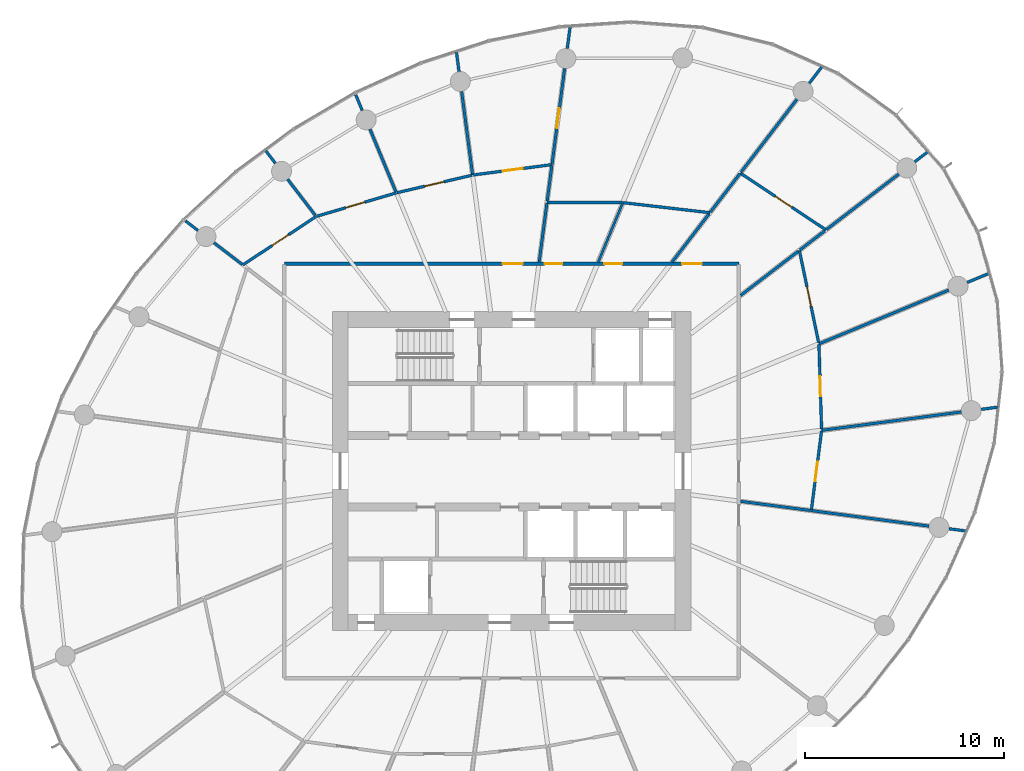
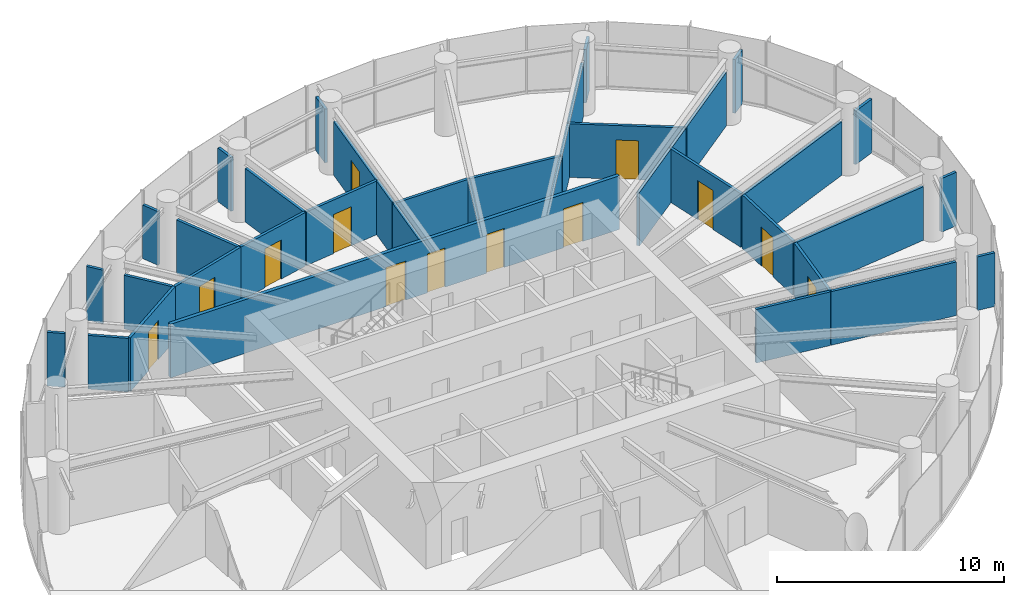
# One storey, part 11 of 15: 39 walls, 13 doors, 13 openings.
"""IFC4 building model written with IfcOpenShell, lengths in metres."""

import ifcopenshell
import ifcopenshell.guid

model = None  # the IFC model being written
_history = None  # IfcOwnerHistory: only IFC2X3 demands one
_inside = {}  # id of a spatial element -> (the spatial element, [elements in it])
_under = {}  # id of a project, library or spatial element -> (it, [spatial elements below it])
_declared = {}  # id of a project -> (the project, [libraries it declares])
_typed = {}  # id of a type object -> (the type object, [elements of that type])
_made_of = {}  # id of a material, layer set ... -> (it, [elements and type objects made of it])


def new_model(schema):
    """Start an empty IFC model of exactly this schema.

    Asked for "IFC4X3", IfcOpenShell would pick the latest addendum, in which some entities
    have other attributes; the version numbers below select the first issue.
    IFC2X3 requires an IfcOwnerHistory on every rooted entity: one is made here for all.
    """
    global model, _history
    if schema == "IFC4X3":
        model = ifcopenshell.file(schema_version=(4, 3, 0, 0))
    else:
        model = ifcopenshell.file(schema=schema)
    _inside.clear()
    _under.clear()
    _declared.clear()
    _typed.clear()
    _made_of.clear()
    _history = None
    if model.schema == "IFC2X3":
        org = make("IfcOrganization", Name="unknown")
        user = make(
            "IfcPersonAndOrganization",
            ThePerson=make("IfcPerson", FamilyName="unknown"),
            TheOrganization=org,
        )
        app = make(
            "IfcApplication",
            ApplicationDeveloper=org,
            Version="unknown",
            ApplicationFullName="unknown",
            ApplicationIdentifier="unknown",
        )
        _history = make(
            "IfcOwnerHistory",
            OwningUser=user,
            OwningApplication=app,
            ChangeAction="ADDED",
            CreationDate=0,
        )
    return model


def make(cls, **values):
    """One entity of the class cls with the attributes given. An attribute that is None is left unset."""
    return model.create_entity(
        cls, **{name: value for name, value in values.items() if value is not None}
    )


def rooted(cls, **values):
    """An entity with a GlobalId (a new one), such as an element, a storey or a relation."""
    return make(cls, GlobalId=ifcopenshell.guid.new(), OwnerHistory=_history, **values)


def si_unit(unit_type, name, prefix=None):
    """IfcSIUnit, for example si_unit("LENGTHUNIT", "METRE", prefix="MILLI")."""
    return make("IfcSIUnit", UnitType=unit_type, Prefix=prefix, Name=name)


def assignment(units):
    """IfcUnitAssignment: the units of a project."""
    return None if units is None else make("IfcUnitAssignment", Units=units)


def point(xyz):
    """IfcCartesianPoint."""
    return None if xyz is None else make("IfcCartesianPoint", Coordinates=xyz)


def direction(xyz):
    """IfcDirection."""
    return None if xyz is None else make("IfcDirection", DirectionRatios=xyz)


def frame(location, z_axis=None, x_axis=None):
    """IfcAxis2Placement3D, a coordinate frame: its origin and axes. An axis left out is left unset."""
    return make(
        "IfcAxis2Placement3D",
        Location=point(location),
        Axis=direction(z_axis),
        RefDirection=direction(x_axis),
    )


def frame_2d(location, x_axis=None):
    """IfcAxis2Placement2D, a coordinate frame in the plane: its origin and x axis."""
    return make(
        "IfcAxis2Placement2D", Location=point(location), RefDirection=direction(x_axis)
    )


def origin():
    """The frame at (0, 0, 0) with its axes left unset."""
    return frame((0.0, 0.0, 0.0))


def place(relative_to, where):
    """IfcLocalPlacement: puts the frame where relative to a parent placement (None: the world)."""
    return make(
        "IfcLocalPlacement", PlacementRelTo=relative_to, RelativePlacement=where
    )


def context(
    kind, dimensions, precision=None, world=None, true_north=None, identifier=None
):
    """IfcGeometricRepresentationContext, for example the 3D "Model" context."""
    return make(
        "IfcGeometricRepresentationContext",
        ContextIdentifier=identifier,
        ContextType=kind,
        CoordinateSpaceDimension=dimensions,
        Precision=precision,
        WorldCoordinateSystem=world,
        TrueNorth=true_north,
    )


def subcontext(parent, identifier, kind, view, scale=None):
    """IfcGeometricRepresentationSubContext, for example "Body" below "Model"."""
    return make(
        "IfcGeometricRepresentationSubContext",
        ContextIdentifier=identifier,
        ContextType=kind,
        ParentContext=parent,
        TargetScale=scale,
        TargetView=view,
    )


def project(units=None, contexts=None):
    """IfcProject with its units and contexts."""
    return rooted(
        "IfcProject",
        Name="project",
        RepresentationContexts=contexts,
        UnitsInContext=assignment(units),
    )


def spatial(cls, under=None, at=None, **own):
    """A site, building, storey or space (cls), placed at a placement, below another one or the project."""
    s = rooted(cls, ObjectPlacement=at, **own)
    if under is not None:
        _under.setdefault(under.id(), (under, []))[1].append(s)
    return s


def profile(cls, at=None, kind="AREA", **sizes):
    """A parametric profile (cls). Its sizes go by their IFC names, for example OverallWidth=200.0."""
    return make(cls, ProfileType=kind, Position=at, **sizes)


def rectangle(**sizes):
    """IfcRectangleProfileDef."""
    return profile("IfcRectangleProfileDef", **sizes)


def extrude(swept, where, along, depth):
    """IfcExtrudedAreaSolid: the profile swept, set in the frame where, extruded along a direction by depth."""
    return make(
        "IfcExtrudedAreaSolid",
        SweptArea=swept,
        Position=where,
        ExtrudedDirection=direction(along),
        Depth=depth,
    )


def shape(context_of_items, identifier, shape_type, items):
    """IfcShapeRepresentation: the items that make up one representation, for example the "Body"."""
    return make(
        "IfcShapeRepresentation",
        ContextOfItems=context_of_items,
        RepresentationIdentifier=identifier,
        RepresentationType=shape_type,
        Items=items,
    )


def source(mapping_origin, context_of_items, identifier, shape_type, items):
    """IfcRepresentationMap: a shape defined once, which mapped items show again and again."""
    return make(
        "IfcRepresentationMap",
        MappingOrigin=mapping_origin,
        MappedRepresentation=shape(context_of_items, identifier, shape_type, items),
    )


def transform(
    local_origin,
    x_axis=None,
    y_axis=None,
    z_axis=None,
    scale=None,
    scale2=None,
    scale3=None,
    uniform=True,
):
    """IfcCartesianTransformationOperator3D, or its non-uniform kind. x_axis, y_axis, z_axis: its Axis1, 2, 3."""
    if uniform:
        return make(
            "IfcCartesianTransformationOperator3D",
            Axis1=direction(x_axis),
            Axis2=direction(y_axis),
            LocalOrigin=point(local_origin),
            Scale=scale,
            Axis3=direction(z_axis),
        )
    return make(
        "IfcCartesianTransformationOperator3DnonUniform",
        Axis1=direction(x_axis),
        Axis2=direction(y_axis),
        LocalOrigin=point(local_origin),
        Scale=scale,
        Axis3=direction(z_axis),
        Scale2=scale2,
        Scale3=scale3,
    )


def mapped(mapping_source, mapping_target):
    """IfcMappedItem: shows the shape of a source again, moved by a transform."""
    return make(
        "IfcMappedItem", MappingSource=mapping_source, MappingTarget=mapping_target
    )


def material(Name=None, Category=None):
    """IfcMaterial."""
    return make("IfcMaterial", Name=Name, Category=Category)


def layer(
    of_material, thickness, ventilated=None, Name=None, Category=None, Priority=None
):
    """IfcMaterialLayer: one layer of a wall or slab, of a material (None: an air gap)."""
    return make(
        "IfcMaterialLayer",
        Material=of_material,
        LayerThickness=thickness,
        IsVentilated=ventilated,
        Name=Name,
        Category=Category,
        Priority=Priority,
    )


def layer_set(layers, Name=None):
    """IfcMaterialLayerSet."""
    return make("IfcMaterialLayerSet", MaterialLayers=layers, LayerSetName=Name)


def made_of(thing, what):
    """Note that an element or type object is made of a material, layer set ...; save() writes the relation."""
    if what is not None:
        _made_of.setdefault(what.id(), (what, []))[1].append(thing)
    return thing


def type_object(cls, material=None, **own):
    """A type object (cls), such as IfcWallType, which elements share."""
    return made_of(rooted(cls, **own), material)


def element(
    cls,
    number,
    at=None,
    inside=None,
    cuts=None,
    type_object=None,
    material=None,
    context=None,
    identifier="Body",
    shape_type=None,
    held_by="IfcProductDefinitionShape",
    body=None,
    shapes=None,
    **own,
):
    """One element of the class cls, such as IfcWall. Its Tag is "e" and its number.

    at: its placement. inside: the storey or other place that contains it. cuts: it is an
    opening in that element (IfcRelVoidsElement). A single representation is given by context,
    identifier, shape_type and body (its items); several are given by shapes. held_by: the class
    of the entity that holds the representations. save() writes the other relations.
    """
    e = rooted(cls, Tag="e%d" % number, ObjectPlacement=at, **own)
    if body is not None:
        shapes = [shape(context, identifier, shape_type, body)]
    if shapes is not None:
        e.Representation = make(held_by, Representations=shapes)
    if inside is not None:
        _inside.setdefault(inside.id(), (inside, []))[1].append(e)
    if cuts is not None:
        rooted(
            "IfcRelVoidsElement", RelatingBuildingElement=cuts, RelatedOpeningElement=e
        )
    if type_object is not None:
        _typed.setdefault(type_object.id(), (type_object, []))[1].append(e)
    return made_of(e, material)


def fill(opening, filler):
    """IfcRelFillsElement: the door or window that sits in an opening."""
    return rooted(
        "IfcRelFillsElement",
        RelatingOpeningElement=opening,
        RelatedBuildingElement=filler,
    )


def aggregate(whole, parts):
    """IfcRelAggregates: a whole, such as a stair, and the parts it consists of."""
    return rooted("IfcRelAggregates", RelatingObject=whole, RelatedObjects=parts)


def save(model, path):
    """Write the relations noted so far, then the file.

    IfcRelAggregates (storeys below a building ...), IfcRelContainedInSpatialStructure (elements
    in a storey), IfcRelDefinesByType, IfcRelAssociatesMaterial and IfcRelDeclares: one each for
    every whole, place, type object, material and project.
    """
    for whole, parts in _under.values():
        aggregate(whole, parts)
    for where, things in _inside.values():
        rooted(
            "IfcRelContainedInSpatialStructure",
            RelatedElements=things,
            RelatingStructure=where,
        )
    for kind, things in _typed.values():
        rooted("IfcRelDefinesByType", RelatedObjects=things, RelatingType=kind)
    for what, things in _made_of.values():
        rooted("IfcRelAssociatesMaterial", RelatedObjects=things, RelatingMaterial=what)
    for by, libraries in _declared.values():
        rooted("IfcRelDeclares", RelatingContext=by, RelatedDefinitions=libraries)
    model.write(path)


model = new_model("IFC4")

# Units and contexts
model_context = context("Model", 3, precision=1e-05, world=origin(), true_north=direction((0.0, 1.0)))
body_context = subcontext(model_context, "Body", "Model", "MODEL_VIEW")
ifc_project = project(units=[si_unit("LENGTHUNIT", "METRE"), si_unit("AREAUNIT", "SQUARE_METRE"), si_unit("VOLUMEUNIT", "CUBIC_METRE"), si_unit("PLANEANGLEUNIT", "RADIAN"), si_unit("MASSUNIT", "GRAM", prefix="KILO")], contexts=[model_context])

# Site, building, storey
site_placement = place(None, origin())
site = spatial("IfcSite", under=ifc_project, at=site_placement, CompositionType="ELEMENT")
building_placement = place(site_placement, origin())
building = spatial("IfcBuilding", under=site, at=building_placement, Name="Spindrift Exchange Tower", CompositionType="ELEMENT")
storey_placement = place(building_placement, frame((0.0, 0.0, 168.199951171875)))
storey = spatial("IfcBuildingStorey", under=building, at=storey_placement, Name="L40", CompositionType="ELEMENT", Elevation=168.199951171875)

# Wall, openings, doors
ifc_material_1 = material(Name="Fire-rated plasterboard partition", Category="gypsum")
ifc_layer_1 = layer(ifc_material_1, 0.179931640625)
ifc_layer_set_1 = layer_set([ifc_layer_1], Name="W-CORR-180")
wall_type_1 = type_object("IfcWallType", Name="W-CORR-180", PredefinedType="PARTITIONING", material=ifc_layer_set_1)
wall_1_placement = place(storey_placement, frame((40.60009765625, 58.39990234375, 0.0), z_axis=(0.0, 0.0, 1.0), x_axis=(1.0, 0.0, 0.0)))
wall_1 = element("IfcWall", 1, at=wall_1_placement, inside=storey, type_object=wall_type_1, Name="L40 Partition wall 27", PredefinedType="PARTITIONING", context=body_context, shape_type="SweptSolid", body=[
    extrude(rectangle(XDim=22.7998046875, YDim=0.179931640625, at=frame_2d((11.39990234375, 0.0))), origin(), (0.0, 0.0, 1.0), 2.880126953125),
])
opening_1_placement = place(wall_1_placement, frame((16.050048828125, 0.0, 0.0)))
opening_1 = element("IfcOpeningElement", 2, at=opening_1_placement, cuts=wall_1, Name="Opening L40-D19", PredefinedType="OPENING", context=body_context, shape_type="SweptSolid", body=[
    extrude(rectangle(XDim=0.89990234375, YDim=2.10009765625, at=frame_2d((0.449951171875, 1.050048828125))), frame((0.0, 0.099853515625, 0.0), z_axis=(0.0, -1.0, 0.0), x_axis=(1.0, 0.0, 0.0)), (0.0, 0.0, 1.0), 0.199951171875),
])
opening_2_placement = place(wall_1_placement, frame((13.050048828125, 0.0, 0.0)))
opening_2 = element("IfcOpeningElement", 3, at=opening_2_placement, cuts=wall_1, Name="Opening L40-D20", PredefinedType="OPENING", context=body_context, shape_type="SweptSolid", body=[
    extrude(rectangle(XDim=0.89990234375, YDim=2.10009765625, at=frame_2d((0.449951171875, 1.050048828125))), frame((0.0, 0.099853515625, 0.0), z_axis=(0.0, -1.0, 0.0), x_axis=(1.0, 0.0, 0.0)), (0.0, 0.0, 1.0), 0.199951171875),
])
opening_3_placement = place(wall_1_placement, frame((10.949951171875, 0.0, 0.0)))
opening_3 = element("IfcOpeningElement", 4, at=opening_3_placement, cuts=wall_1, Name="Opening L40-D21", PredefinedType="OPENING", context=body_context, shape_type="SweptSolid", body=[
    extrude(rectangle(XDim=1.0, YDim=2.10009765625, at=frame_2d((0.5, 1.050048828125))), frame((0.0, 0.099853515625, 0.0), z_axis=(0.0, -1.0, 0.0), x_axis=(1.0, 0.0, 0.0)), (0.0, 0.0, 1.0), 0.199951171875),
])
opening_4_placement = place(wall_1_placement, frame((19.949951171875, 0.0, 0.0)))
opening_4 = element("IfcOpeningElement", 5, at=opening_4_placement, cuts=wall_1, Name="Opening L40-D47", PredefinedType="OPENING", context=body_context, shape_type="SweptSolid", body=[
    extrude(rectangle(XDim=1.0, YDim=2.10009765625, at=frame_2d((0.5, 1.050048828125))), frame((0.0, 0.099853515625, 0.0), z_axis=(0.0, -1.0, 0.0), x_axis=(1.0, 0.0, 0.0)), (0.0, 0.0, 1.0), 0.199951171875),
])
ifc_material_2 = material(Name="Timber-core fire door", Category="wood")
door_type_1 = type_object("IfcDoorType", Name="DR-ROOM-1000", OperationType="NOTDEFINED", PredefinedType="DOOR", material=ifc_material_2)
shared_shape_1 = source(origin(), body_context, "Body", "SweptSolid", [
    extrude(rectangle(XDim=1.0, YDim=2.10009765625, at=frame_2d((0.5, 1.050048828125))), frame((0.0, 0.02490234375, 0.0), z_axis=(0.0, -1.0, 0.0), x_axis=(1.0, 0.0, 0.0)), (0.0, 0.0, 1.0), 0.050048828125),
])
door_1_placement = place(opening_3_placement, origin())
door_1 = element("IfcDoor", 6, at=door_1_placement, inside=storey, type_object=door_type_1, Name="L40 Door 21", OperationType="SINGLE_SWING_LEFT", OverallHeight=2.10009765625, OverallWidth=1.0, PredefinedType="DOOR", context=body_context, shape_type="MappedRepresentation", body=[
    mapped(shared_shape_1, transform((0.0, 0.0, 0.0), scale=1.0)),
])
fill(opening_3, door_1)
door_2_placement = place(opening_4_placement, origin())
door_2 = element("IfcDoor", 7, at=door_2_placement, inside=storey, type_object=door_type_1, Name="L40 Door 47", OperationType="SINGLE_SWING_LEFT", OverallHeight=2.10009765625, OverallWidth=1.0, PredefinedType="DOOR", context=body_context, shape_type="MappedRepresentation", body=[
    mapped(shared_shape_1, transform((0.0, 0.0, 0.0), scale=1.0)),
])
fill(opening_4, door_2)
ifc_material_3 = material(Name="Laminate washroom door", Category="wood")
door_type_2 = type_object("IfcDoorType", Name="DR-WC-900", OperationType="NOTDEFINED", PredefinedType="DOOR", material=ifc_material_3)
shared_shape_2 = source(origin(), body_context, "Body", "SweptSolid", [
    extrude(rectangle(XDim=0.89990234375, YDim=2.10009765625, at=frame_2d((0.449951171875, 1.050048828125))), frame((0.0, 0.02490234375, 0.0), z_axis=(0.0, -1.0, 0.0), x_axis=(1.0, 0.0, 0.0)), (0.0, 0.0, 1.0), 0.050048828125),
])
door_3_placement = place(opening_1_placement, origin())
door_3 = element("IfcDoor", 8, at=door_3_placement, inside=storey, type_object=door_type_2, Name="L40 WC door 19", OperationType="SINGLE_SWING_LEFT", OverallHeight=2.10009765625, OverallWidth=0.89990234375, PredefinedType="DOOR", context=body_context, shape_type="MappedRepresentation", body=[
    mapped(shared_shape_2, transform((0.0, 0.0, 0.0), scale=1.0)),
])
fill(opening_1, door_3)
door_4_placement = place(opening_2_placement, origin())
door_4 = element("IfcDoor", 9, at=door_4_placement, inside=storey, type_object=door_type_2, Name="L40 WC door 20", OperationType="SINGLE_SWING_RIGHT", OverallHeight=2.10009765625, OverallWidth=0.89990234375, PredefinedType="DOOR", context=body_context, shape_type="MappedRepresentation", body=[
    mapped(shared_shape_2, transform((0.0, 0.0, 0.0), scale=1.0)),
])
fill(opening_2, door_4)

# Walls
ifc_layer_2 = layer(ifc_material_1, 0.139892578125)
ifc_layer_set_2 = layer_set([ifc_layer_2], Name="W-PART-140")
wall_type_2 = type_object("IfcWallType", Name="W-PART-140", PredefinedType="PARTITIONING", material=ifc_layer_set_2)
wall_2_placement = place(storey_placement, frame((67.55419921875, 50.047607421875, 0.0), z_axis=(0.0, 0.0, 1.0), x_axis=(0.99144465259, 0.130527778084, 0.0)))
element("IfcWall", 10, at=wall_2_placement, inside=storey, type_object=wall_type_2, Name="L40 Partition wall 31", PredefinedType="PARTITIONING", context=body_context, shape_type="SweptSolid", body=[
    extrude(rectangle(XDim=7.068359375, YDim=0.139892578125, at=frame_2d((3.5341796875, 0.0))), origin(), (0.0, 0.0, 1.0), 2.880126953125),
])
wall_3_placement = place(storey_placement, frame((67.418701171875, 54.38671875, 0.0), z_axis=(0.0, 0.0, 1.0), x_axis=(0.923885532531, 0.382668946716, 0.0)))
element("IfcWall", 11, at=wall_3_placement, inside=storey, type_object=wall_type_2, Name="L40 Partition wall 32", PredefinedType="PARTITIONING", context=body_context, shape_type="SweptSolid", body=[
    extrude(rectangle(XDim=7.0478515625, YDim=0.139892578125, at=frame_2d((3.52392578125, 0.0))), origin(), (0.0, 0.0, 1.0), 2.880126953125),
])
wall_4_placement = place(storey_placement, frame((67.036865234375, 46.0205078125, 0.0), z_axis=(0.0, 0.0, 1.0), x_axis=(0.991443547419, -0.13053617231, 0.0)))
element("IfcWall", 12, at=wall_4_placement, inside=storey, type_object=wall_type_2, Name="L40 Partition wall 37", PredefinedType="PARTITIONING", context=body_context, shape_type="SweptSolid", body=[
    extrude(rectangle(XDim=5.955078125, YDim=0.139892578125, at=frame_2d((2.9775390625, 0.0))), origin(), (0.0, 0.0, 1.0), 2.880126953125),
])

# Wall, opening, door
wall_5_placement = place(storey_placement, frame((63.47412109375, 62.95361328125, 0.0), z_axis=(0.0, 0.0, 1.0), x_axis=(0.833735501744, -0.552164027379, 0.0)))
wall_5 = element("IfcWall", 13, at=wall_5_placement, inside=storey, type_object=wall_type_2, Name="L40 Partition wall 41", PredefinedType="PARTITIONING", context=body_context, shape_type="SweptSolid", body=[
    extrude(rectangle(XDim=5.158935546875, YDim=0.139892578125, at=frame_2d((2.57958984375, 0.0))), origin(), (0.0, 0.0, 1.0), 2.880126953125),
])
opening_5_placement = place(wall_5_placement, frame((2.10888671875, 0.0, 0.0)))
opening_5 = element("IfcOpeningElement", 14, at=opening_5_placement, cuts=wall_5, Name="Opening L40-D48", PredefinedType="OPENING", context=body_context, shape_type="SweptSolid", body=[
    extrude(rectangle(XDim=1.0, YDim=2.10009765625, at=frame_2d((0.5, 1.050048828125))), frame((0.0, 0.079833984375, 0.0), z_axis=(0.0, -1.0, 0.0), x_axis=(1.0, 0.0, 0.0)), (0.0, 0.0, 1.0), 0.159912109375),
])
door_5_placement = place(opening_5_placement, origin())
door_5 = element("IfcDoor", 15, at=door_5_placement, inside=storey, type_object=door_type_1, Name="L40 Door 48", OperationType="SINGLE_SWING_RIGHT", OverallHeight=2.10009765625, OverallWidth=1.0, PredefinedType="DOOR", context=body_context, shape_type="MappedRepresentation", body=[
    mapped(shared_shape_1, transform((0.0, 0.0, 0.0), scale=1.0)),
])
fill(opening_5, door_5)

wall_6_placement = place(storey_placement, frame((54.66015625, 68.205078125, 0.0), z_axis=(0.0, 0.0, 1.0), x_axis=(-0.130559647123, -0.991440456378, 0.0)))
wall_6 = element("IfcWall", 16, at=wall_6_placement, inside=storey, type_object=wall_type_2, Name="L40 Partition wall 42", PredefinedType="PARTITIONING", context=body_context, shape_type="SweptSolid", body=[
    extrude(rectangle(XDim=4.86572265625, YDim=0.139892578125, at=frame_2d((2.432861328125, 0.0))), origin(), (0.0, 0.0, 1.0), 2.880126953125),
])
opening_6_placement = place(wall_6_placement, frame((2.015625, 0.0, 0.0)))
opening_6 = element("IfcOpeningElement", 17, at=opening_6_placement, cuts=wall_6, Name="Opening L40-D26", PredefinedType="OPENING", context=body_context, shape_type="SweptSolid", body=[
    extrude(rectangle(XDim=1.0, YDim=2.10009765625, at=frame_2d((0.5, 1.050048828125))), frame((0.0, 0.079833984375, 0.0), z_axis=(0.0, -1.0, 0.0), x_axis=(1.0, 0.0, 0.0)), (0.0, 0.0, 1.0), 0.159912109375),
])
door_6_placement = place(opening_6_placement, origin())
door_6 = element("IfcDoor", 18, at=door_6_placement, inside=storey, type_object=door_type_1, Name="L40 Door 26", OperationType="SINGLE_SWING_RIGHT", OverallHeight=2.10009765625, OverallWidth=1.0, PredefinedType="DOOR", context=body_context, shape_type="MappedRepresentation", body=[
    mapped(shared_shape_1, transform((0.0, 0.0, 0.0), scale=1.0)),
])
fill(opening_6, door_6)

wall_7_placement = place(storey_placement, frame((66.437255859375, 59.078125, 0.0), z_axis=(0.0, 0.0, 1.0), x_axis=(0.20474910854, -0.978814488324, 0.0)))
wall_7 = element("IfcWall", 19, at=wall_7_placement, inside=storey, type_object=wall_type_2, Name="L40 Partition wall 45", PredefinedType="PARTITIONING", context=body_context, shape_type="SweptSolid", body=[
    extrude(rectangle(XDim=4.721923828125, YDim=0.139892578125, at=frame_2d((2.36083984375, 0.0))), origin(), (0.0, 0.0, 1.0), 2.880126953125),
])
opening_7_placement = place(wall_7_placement, frame((1.871826171875, 0.0, 0.0)))
opening_7 = element("IfcOpeningElement", 20, at=opening_7_placement, cuts=wall_7, Name="Opening L40-D46", PredefinedType="OPENING", context=body_context, shape_type="SweptSolid", body=[
    extrude(rectangle(XDim=1.0, YDim=2.10009765625, at=frame_2d((0.5, 1.050048828125))), frame((0.0, 0.079833984375, 0.0), z_axis=(0.0, -1.0, 0.0), x_axis=(1.0, 0.0, 0.0)), (0.0, 0.0, 1.0), 0.159912109375),
])
door_7_placement = place(opening_7_placement, origin())
door_7 = element("IfcDoor", 21, at=door_7_placement, inside=storey, type_object=door_type_1, Name="L40 Door 46", OperationType="SINGLE_SWING_RIGHT", OverallHeight=2.10009765625, OverallWidth=1.0, PredefinedType="DOOR", context=body_context, shape_type="MappedRepresentation", body=[
    mapped(shared_shape_1, transform((0.0, 0.0, 0.0), scale=1.0)),
])
fill(opening_7, door_7)

# Walls
wall_8_placement = place(storey_placement, frame((63.51708984375, 63.00927734375, 0.0), z_axis=(0.0, 0.0, 1.0), x_axis=(0.608776844193, 0.793341511566, 0.0)))
element("IfcWall", 22, at=wall_8_placement, inside=storey, type_object=wall_type_2, Name="L40 Partition wall 48", PredefinedType="PARTITIONING", context=body_context, shape_type="SweptSolid", body=[
    extrude(rectangle(XDim=4.6005859375, YDim=0.139892578125, at=frame_2d((2.30029296875, 0.0))), origin(), (0.0, 0.0, 1.0), 2.880126953125),
])
wall_9_placement = place(storey_placement, frame((67.79931640625, 60.123046875, 0.0), z_axis=(0.0, 0.0, 1.0), x_axis=(0.793350117956, 0.608765628414, 0.0)))
element("IfcWall", 23, at=wall_9_placement, inside=storey, type_object=wall_type_2, Name="L40 Partition wall 49", PredefinedType="PARTITIONING", context=body_context, shape_type="SweptSolid", body=[
    extrude(rectangle(XDim=4.571044921875, YDim=0.139892578125, at=frame_2d((2.28564453125, 0.0))), origin(), (0.0, 0.0, 1.0), 2.880126953125),
])

# Wall, opening, door
wall_10_placement = place(storey_placement, frame((38.513916015625, 58.348388671875, 0.0), z_axis=(0.0, 0.0, 1.0), x_axis=(0.834249384929, 0.551387308292, 0.0)))
wall_10 = element("IfcWall", 24, at=wall_10_placement, inside=storey, type_object=wall_type_2, Name="L40 Partition wall 52", PredefinedType="PARTITIONING", context=body_context, shape_type="SweptSolid", body=[
    extrude(rectangle(XDim=4.410400390625, YDim=0.139892578125, at=frame_2d((2.205078125, 0.0))), origin(), (0.0, 0.0, 1.0), 2.880126953125),
])
opening_8_placement = place(wall_10_placement, frame((1.760498046875, 0.0, 0.0)))
opening_8 = element("IfcOpeningElement", 25, at=opening_8_placement, cuts=wall_10, Name="Opening L40-D25", PredefinedType="OPENING", context=body_context, shape_type="SweptSolid", body=[
    extrude(rectangle(XDim=1.0, YDim=2.10009765625, at=frame_2d((0.5, 1.050048828125))), frame((0.0, 0.079833984375, 0.0), z_axis=(0.0, -1.0, 0.0), x_axis=(1.0, 0.0, 0.0)), (0.0, 0.0, 1.0), 0.159912109375),
])
door_8_placement = place(opening_8_placement, origin())
door_8 = element("IfcDoor", 26, at=door_8_placement, inside=storey, type_object=door_type_1, Name="L40 Door 25", OperationType="SINGLE_SWING_LEFT", OverallHeight=2.10009765625, OverallWidth=1.0, PredefinedType="DOOR", context=body_context, shape_type="MappedRepresentation", body=[
    mapped(shared_shape_1, transform((0.0, 0.0, 0.0), scale=1.0)),
])
fill(opening_8, door_8)

# Wall
wall_11_placement = place(storey_placement, frame((61.950927734375, 60.96826171875, 0.0), z_axis=(0.0, 0.0, 1.0), x_axis=(-0.993392398036, 0.114767345203, 0.0)))
element("IfcWall", 27, at=wall_11_placement, inside=storey, type_object=wall_type_2, Name="L40 Partition wall 54", PredefinedType="PARTITIONING", context=body_context, shape_type="SweptSolid", body=[
    extrude(rectangle(XDim=4.399169921875, YDim=0.139892578125, at=frame_2d((2.19970703125, 0.0))), origin(), (0.0, 0.0, 1.0), 2.880126953125),
])

# Wall, opening, door
wall_12_placement = place(storey_placement, frame((67.419677734375, 54.356689453125, 0.0), z_axis=(0.0, 0.0, 1.0), x_axis=(0.031204196908, -0.999513030478, 0.0)))
wall_12 = element("IfcWall", 28, at=wall_12_placement, inside=storey, type_object=wall_type_2, Name="L40 Partition wall 58", PredefinedType="PARTITIONING", context=body_context, shape_type="SweptSolid", body=[
    extrude(rectangle(XDim=4.240478515625, YDim=0.139892578125, at=frame_2d((2.1201171875, 0.0))), origin(), (0.0, 0.0, 1.0), 2.880126953125),
])
opening_9_placement = place(wall_12_placement, frame((1.5908203125, 0.0, 0.0)))
opening_9 = element("IfcOpeningElement", 29, at=opening_9_placement, cuts=wall_12, Name="Opening L40-D45", PredefinedType="OPENING", context=body_context, shape_type="SweptSolid", body=[
    extrude(rectangle(XDim=1.0, YDim=2.10009765625, at=frame_2d((0.5, 1.050048828125))), frame((0.0, 0.079833984375, 0.0), z_axis=(0.0, -1.0, 0.0), x_axis=(1.0, 0.0, 0.0)), (0.0, 0.0, 1.0), 0.159912109375),
])
door_9_placement = place(opening_9_placement, origin())
door_9 = element("IfcDoor", 30, at=door_9_placement, inside=storey, type_object=door_type_1, Name="L40 Door 45", OperationType="SINGLE_SWING_LEFT", OverallHeight=2.10009765625, OverallWidth=1.0, PredefinedType="DOOR", context=body_context, shape_type="MappedRepresentation", body=[
    mapped(shared_shape_1, transform((0.0, 0.0, 0.0), scale=1.0)),
])
fill(opening_9, door_9)

# Wall
wall_13_placement = place(storey_placement, frame((50.044189453125, 62.856201171875, 0.0), z_axis=(0.0, 0.0, 1.0), x_axis=(-0.130515707309, 0.991446241682, 0.0)))
element("IfcWall", 31, at=wall_13_placement, inside=storey, type_object=wall_type_2, Name="L40 Partition wall 60", PredefinedType="PARTITIONING", context=body_context, shape_type="SweptSolid", body=[
    extrude(rectangle(XDim=4.231201171875, YDim=0.139892578125, at=frame_2d((2.11572265625, 0.0))), origin(), (0.0, 0.0, 1.0), 2.880126953125),
])

# Wall, opening, door
wall_14_placement = place(storey_placement, frame((42.22216796875, 60.788818359375, 0.0), z_axis=(0.0, 0.0, 1.0), x_axis=(0.959320664993, 0.282318723638, 0.0)))
wall_14 = element("IfcWall", 32, at=wall_14_placement, inside=storey, type_object=wall_type_2, Name="L40 Partition wall 61", PredefinedType="PARTITIONING", context=body_context, shape_type="SweptSolid", body=[
    extrude(rectangle(XDim=4.1630859375, YDim=0.139892578125, at=frame_2d((2.08154296875, 0.0))), origin(), (0.0, 0.0, 1.0), 2.880126953125),
])
opening_10_placement = place(wall_14_placement, frame((1.51318359375, 0.0, 0.0)))
opening_10 = element("IfcOpeningElement", 33, at=opening_10_placement, cuts=wall_14, Name="Opening L40-D24", PredefinedType="OPENING", context=body_context, shape_type="SweptSolid", body=[
    extrude(rectangle(XDim=1.0, YDim=2.10009765625, at=frame_2d((0.5, 1.050048828125))), frame((0.0, 0.079833984375, 0.0), z_axis=(0.0, -1.0, 0.0), x_axis=(1.0, 0.0, 0.0)), (0.0, 0.0, 1.0), 0.159912109375),
])
door_10_placement = place(opening_10_placement, origin())
door_10 = element("IfcDoor", 34, at=door_10_placement, inside=storey, type_object=door_type_1, Name="L40 Door 24", OperationType="SINGLE_SWING_RIGHT", OverallHeight=2.10009765625, OverallWidth=1.0, PredefinedType="DOOR", context=body_context, shape_type="MappedRepresentation", body=[
    mapped(shared_shape_1, transform((0.0, 0.0, 0.0), scale=1.0)),
])
fill(opening_10, door_10)

wall_15_placement = place(storey_placement, frame((67.55029296875, 50.01806640625, 0.0), z_axis=(0.0, 0.0, 1.0), x_axis=(-0.127361365248, -0.991856382065, 0.0)))
wall_15 = element("IfcWall", 35, at=wall_15_placement, inside=storey, type_object=wall_type_2, Name="L40 Partition wall 63", PredefinedType="PARTITIONING", context=body_context, shape_type="SweptSolid", body=[
    extrude(rectangle(XDim=4.00048828125, YDim=0.139892578125, at=frame_2d((2.000244140625, 0.0))), origin(), (0.0, 0.0, 1.0), 2.880126953125),
])
opening_11_placement = place(wall_15_placement, frame((1.550537109375, 0.0, 0.0)))
opening_11 = element("IfcOpeningElement", 36, at=opening_11_placement, cuts=wall_15, Name="Opening L40-D44", PredefinedType="OPENING", context=body_context, shape_type="SweptSolid", body=[
    extrude(rectangle(XDim=1.0, YDim=2.10009765625, at=frame_2d((0.5, 1.050048828125))), frame((0.0, 0.079833984375, 0.0), z_axis=(0.0, -1.0, 0.0), x_axis=(1.0, 0.0, 0.0)), (0.0, 0.0, 1.0), 0.159912109375),
])
door_11_placement = place(opening_11_placement, origin())
door_11 = element("IfcDoor", 37, at=door_11_placement, inside=storey, type_object=door_type_1, Name="L40 Door 44", OperationType="SINGLE_SWING_RIGHT", OverallHeight=2.10009765625, OverallWidth=1.0, PredefinedType="DOOR", context=body_context, shape_type="MappedRepresentation", body=[
    mapped(shared_shape_1, transform((0.0, 0.0, 0.0), scale=1.0)),
])
fill(opening_11, door_11)

wall_16_placement = place(storey_placement, frame((50.073974609375, 62.860107421875, 0.0), z_axis=(0.0, 0.0, 1.0), x_axis=(0.991416645942, 0.130740330995, 0.0)))
wall_16 = element("IfcWall", 38, at=wall_16_placement, inside=storey, type_object=wall_type_2, Name="L40 Partition wall 64", PredefinedType="PARTITIONING", context=body_context, shape_type="SweptSolid", body=[
    extrude(rectangle(XDim=3.955078125, YDim=0.139892578125, at=frame_2d((1.9775390625, 0.0))), origin(), (0.0, 0.0, 1.0), 2.880126953125),
])
opening_12_placement = place(wall_16_placement, frame((1.50537109375, 0.0, 0.0)))
opening_12 = element("IfcOpeningElement", 39, at=opening_12_placement, cuts=wall_16, Name="Opening L40-D22", PredefinedType="OPENING", context=body_context, shape_type="SweptSolid", body=[
    extrude(rectangle(XDim=1.0, YDim=2.10009765625, at=frame_2d((0.5, 1.050048828125))), frame((0.0, 0.079833984375, 0.0), z_axis=(0.0, -1.0, 0.0), x_axis=(1.0, 0.0, 0.0)), (0.0, 0.0, 1.0), 0.159912109375),
])
door_12_placement = place(opening_12_placement, origin())
door_12 = element("IfcDoor", 40, at=door_12_placement, inside=storey, type_object=door_type_1, Name="L40 Door 22", OperationType="SINGLE_SWING_RIGHT", OverallHeight=2.10009765625, OverallWidth=1.0, PredefinedType="DOOR", context=body_context, shape_type="MappedRepresentation", body=[
    mapped(shared_shape_1, transform((0.0, 0.0, 0.0), scale=1.0)),
])
fill(opening_12, door_12)

wall_17_placement = place(storey_placement, frame((46.2451171875, 61.970703125, 0.0), z_axis=(0.0, 0.0, 1.0), x_axis=(0.973895613849, 0.22699632888, 0.0)))
wall_17 = element("IfcWall", 41, at=wall_17_placement, inside=storey, type_object=wall_type_2, Name="L40 Partition wall 66", PredefinedType="PARTITIONING", context=body_context, shape_type="SweptSolid", body=[
    extrude(rectangle(XDim=3.870849609375, YDim=0.139892578125, at=frame_2d((1.935546875, 0.0))), origin(), (0.0, 0.0, 1.0), 2.880126953125),
])
opening_13_placement = place(wall_17_placement, frame((1.4208984375, 0.0, 0.0)))
opening_13 = element("IfcOpeningElement", 42, at=opening_13_placement, cuts=wall_17, Name="Opening L40-D23", PredefinedType="OPENING", context=body_context, shape_type="SweptSolid", body=[
    extrude(rectangle(XDim=1.0, YDim=2.10009765625, at=frame_2d((0.5, 1.050048828125))), frame((0.0, 0.079833984375, 0.0), z_axis=(0.0, -1.0, 0.0), x_axis=(1.0, 0.0, 0.0)), (0.0, 0.0, 1.0), 0.159912109375),
])
door_13_placement = place(opening_13_placement, origin())
door_13 = element("IfcDoor", 43, at=door_13_placement, inside=storey, type_object=door_type_1, Name="L40 Door 23", OperationType="SINGLE_SWING_LEFT", OverallHeight=2.10009765625, OverallWidth=1.0, PredefinedType="DOOR", context=body_context, shape_type="MappedRepresentation", body=[
    mapped(shared_shape_1, transform((0.0, 0.0, 0.0), scale=1.0)),
])
fill(opening_13, door_13)

# Walls
wall_18_placement = place(storey_placement, frame((63.489990234375, 56.816650390625, 0.0), z_axis=(0.0, 0.0, 1.0), x_axis=(0.79334701906, 0.60876966691, 0.0)))
element("IfcWall", 44, at=wall_18_placement, inside=storey, type_object=wall_type_2, Name="L40 Partition wall 68", PredefinedType="PARTITIONING", context=body_context, shape_type="SweptSolid", body=[
    extrude(rectangle(XDim=3.637451171875, YDim=0.139892578125, at=frame_2d((1.81884765625, 0.0))), origin(), (0.0, 0.0, 1.0), 2.880126953125),
])
wall_19_placement = place(storey_placement, frame((57.55078125, 61.47314453125, 0.0), z_axis=(0.0, 0.0, 1.0), x_axis=(-0.999996312209, 0.002715799878, 0.0)))
element("IfcWall", 45, at=wall_19_placement, inside=storey, type_object=wall_type_2, Name="L40 Partition wall 70", PredefinedType="PARTITIONING", context=body_context, shape_type="SweptSolid", body=[
    extrude(rectangle(XDim=3.775634765625, YDim=0.139892578125, at=frame_2d((1.8876953125, 0.0))), origin(), (0.0, 0.0, 1.0), 2.880126953125),
])
wall_20_placement = place(storey_placement, frame((63.489990234375, 46.4873046875, 0.0), z_axis=(0.0, 0.0, 1.0), x_axis=(0.991450078563, -0.130486557612, 0.0)))
element("IfcWall", 46, at=wall_20_placement, inside=storey, type_object=wall_type_2, Name="L40 Partition wall 73", PredefinedType="PARTITIONING", context=body_context, shape_type="SweptSolid", body=[
    extrude(rectangle(XDim=3.54736328125, YDim=0.139892578125, at=frame_2d((1.773681640625, 0.0))), origin(), (0.0, 0.0, 1.0), 2.880126953125),
])
wall_21_placement = place(storey_placement, frame((46.18896484375, 62.029052734375, 0.0), z_axis=(0.0, 0.0, 1.0), x_axis=(-0.382706061459, 0.923870158909, 0.0)))
element("IfcWall", 47, at=wall_21_placement, inside=storey, type_object=wall_type_2, Name="L40 Partition wall 74", PredefinedType="PARTITIONING", context=body_context, shape_type="SweptSolid", body=[
    extrude(rectangle(XDim=3.387939453125, YDim=0.139892578125, at=frame_2d((1.69384765625, 0.0))), origin(), (0.0, 0.0, 1.0), 2.880126953125),
])
wall_22_placement = place(storey_placement, frame((60.04931640625, 58.489990234375, 0.0), z_axis=(0.0, 0.0, 1.0), x_axis=(0.608721291082, 0.793384137592, 0.0)))
element("IfcWall", 48, at=wall_22_placement, inside=storey, type_object=wall_type_2, Name="L40 Partition wall 75", PredefinedType="PARTITIONING", context=body_context, shape_type="SweptSolid", body=[
    extrude(rectangle(XDim=3.042236328125, YDim=0.139892578125, at=frame_2d((1.52099609375, 0.0))), origin(), (0.0, 0.0, 1.0), 2.880126953125),
])
wall_23_placement = place(storey_placement, frame((53.381103515625, 58.489990234375, 0.0), z_axis=(0.0, 0.0, 1.0), x_axis=(0.130505214289, 0.991447622945, 0.0)))
element("IfcWall", 49, at=wall_23_placement, inside=storey, type_object=wall_type_2, Name="L40 Partition wall 76", PredefinedType="PARTITIONING", context=body_context, shape_type="SweptSolid", body=[
    extrude(rectangle(XDim=2.989501953125, YDim=0.139892578125, at=frame_2d((1.49462890625, 0.0))), origin(), (0.0, 0.0, 1.0), 2.880126953125),
])
wall_24_placement = place(storey_placement, frame((61.968994140625, 60.991943359375, 0.0), z_axis=(0.0, 0.0, 1.0), x_axis=(0.608807082058, 0.793318307387, 0.0)))
element("IfcWall", 50, at=wall_24_placement, inside=storey, type_object=wall_type_2, Name="L40 Partition wall 78", PredefinedType="PARTITIONING", context=body_context, shape_type="SweptSolid", body=[
    extrude(rectangle(XDim=2.442626953125, YDim=0.139892578125, at=frame_2d((1.22119140625, 0.0))), origin(), (0.0, 0.0, 1.0), 2.880126953125),
])
wall_25_placement = place(storey_placement, frame((42.150634765625, 60.8359375, 0.0), z_axis=(0.0, 0.0, 1.0), x_axis=(-0.608721584344, 0.793383912588, 0.0)))
element("IfcWall", 51, at=wall_25_placement, inside=storey, type_object=wall_type_2, Name="L40 Partition wall 83", PredefinedType="PARTITIONING", context=body_context, shape_type="SweptSolid", body=[
    extrude(rectangle(XDim=2.279296875, YDim=0.139892578125, at=frame_2d((1.1396484375, 0.0))), origin(), (0.0, 0.0, 1.0), 2.880126953125),
])
wall_26_placement = place(storey_placement, frame((53.7841796875, 61.553466796875, 0.0), z_axis=(0.0, 0.0, 1.0), x_axis=(0.1305938182, 0.991435955898, 0.0)))
element("IfcWall", 52, at=wall_26_placement, inside=storey, type_object=wall_type_2, Name="L40 Partition wall 84", PredefinedType="PARTITIONING", context=body_context, shape_type="SweptSolid", body=[
    extrude(rectangle(XDim=1.8134765625, YDim=0.139892578125, at=frame_2d((0.90673828125, 0.0))), origin(), (0.0, 0.0, 1.0), 2.880126953125),
])
wall_27_placement = place(storey_placement, frame((38.489990234375, 58.366455078125, 0.0), z_axis=(0.0, 0.0, 1.0), x_axis=(-0.793284917906, 0.608850588422, 0.0)))
element("IfcWall", 53, at=wall_27_placement, inside=storey, type_object=wall_type_2, Name="L40 Partition wall 85", PredefinedType="PARTITIONING", context=body_context, shape_type="SweptSolid", body=[
    extrude(rectangle(XDim=1.797607421875, YDim=0.139892578125, at=frame_2d((0.89892578125, 0.0))), origin(), (0.0, 0.0, 1.0), 2.880126953125),
])
wall_28_placement = place(storey_placement, frame((66.461181640625, 59.096435546875, 0.0), z_axis=(0.0, 0.0, 1.0), x_axis=(0.793380361994, 0.608726212022, 0.0)))
element("IfcWall", 54, at=wall_28_placement, inside=storey, type_object=wall_type_2, Name="L40 Partition wall 86", PredefinedType="PARTITIONING", context=body_context, shape_type="SweptSolid", body=[
    extrude(rectangle(XDim=1.58251953125, YDim=0.139892578125, at=frame_2d((0.791259765625, 0.0))), origin(), (0.0, 0.0, 1.0), 2.880126953125),
])
wall_29_placement = place(storey_placement, frame((74.86328125, 57.47021484375, 0.0), z_axis=(0.0, 0.0, 1.0), x_axis=(0.923891330959, 0.382654947151, 0.0)))
element("IfcWall", 55, at=wall_29_placement, inside=storey, type_object=wall_type_2, Name="L40 Partition wall 88", PredefinedType="PARTITIONING", context=body_context, shape_type="SweptSolid", body=[
    extrude(rectangle(XDim=1.185546875, YDim=0.139892578125, at=frame_2d((0.5927734375, 0.0))), origin(), (0.0, 0.0, 1.0), 2.880126953125),
])
wall_30_placement = place(storey_placement, frame((54.791748046875, 69.205322265625, 0.0), z_axis=(0.0, 0.0, 1.0), x_axis=(0.130418875157, 0.991458984025, 0.0)))
element("IfcWall", 56, at=wall_30_placement, inside=storey, type_object=wall_type_2, Name="L40 Partition wall 91", PredefinedType="PARTITIONING", context=body_context, shape_type="SweptSolid", body=[
    extrude(rectangle(XDim=1.063232421875, YDim=0.139892578125, at=frame_2d((0.53173828125, 0.0))), origin(), (0.0, 0.0, 1.0), 2.880126953125),
])
wall_31_placement = place(storey_placement, frame((66.931884765625, 67.459716796875, 0.0), z_axis=(0.0, 0.0, 1.0), x_axis=(0.608863825282, 0.793274758367, 0.0)))
element("IfcWall", 57, at=wall_31_placement, inside=storey, type_object=wall_type_2, Name="L40 Partition wall 94", PredefinedType="PARTITIONING", context=body_context, shape_type="SweptSolid", body=[
    extrude(rectangle(XDim=1.03125, YDim=0.139892578125, at=frame_2d((0.515625, 0.0))), origin(), (0.0, 0.0, 1.0), 2.880126953125),
])
wall_32_placement = place(storey_placement, frame((49.360107421875, 68.051513671875, 0.0), z_axis=(0.0, 0.0, 1.0), x_axis=(-0.130591727785, 0.991436231249, 0.0)))
element("IfcWall", 58, at=wall_32_placement, inside=storey, type_object=wall_type_2, Name="L40 Partition wall 95", PredefinedType="PARTITIONING", context=body_context, shape_type="SweptSolid", body=[
    extrude(rectangle(XDim=0.966552734375, YDim=0.139892578125, at=frame_2d((0.4833984375, 0.0))), origin(), (0.0, 0.0, 1.0), 2.880126953125),
])
wall_33_placement = place(storey_placement, frame((44.505859375, 66.09228515625, 0.0), z_axis=(0.0, 0.0, 1.0), x_axis=(-0.382636339827, 0.923899037473, 0.0)))
element("IfcWall", 59, at=wall_33_placement, inside=storey, type_object=wall_type_2, Name="L40 Partition wall 98", PredefinedType="PARTITIONING", context=body_context, shape_type="SweptSolid", body=[
    extrude(rectangle(XDim=0.85888671875, YDim=0.139892578125, at=frame_2d((0.429443359375, 0.0))), origin(), (0.0, 0.0, 1.0), 2.880126953125),
])
wall_34_placement = place(storey_placement, frame((72.22607421875, 63.52001953125, 0.0), z_axis=(0.0, 0.0, 1.0), x_axis=(0.793315863556, 0.608810266529, 0.0)))
element("IfcWall", 60, at=wall_34_placement, inside=storey, type_object=wall_type_2, Name="L40 Partition wall 100", PredefinedType="PARTITIONING", context=body_context, shape_type="SweptSolid", body=[
    extrude(rectangle(XDim=0.8388671875, YDim=0.139892578125, at=frame_2d((0.41943359375, 0.0))), origin(), (0.0, 0.0, 1.0), 2.880126953125),
])
wall_35_placement = place(storey_placement, frame((73.941162109375, 45.111328125, 0.0), z_axis=(0.0, 0.0, 1.0), x_axis=(0.991457294924, -0.130431715243, 0.0)))
element("IfcWall", 61, at=wall_35_placement, inside=storey, type_object=wall_type_2, Name="L40 Partition wall 102", PredefinedType="PARTITIONING", context=body_context, shape_type="SweptSolid", body=[
    extrude(rectangle(XDim=0.8310546875, YDim=0.139892578125, at=frame_2d((0.41552734375, 0.0))), origin(), (0.0, 0.0, 1.0), 2.880126953125),
])
wall_36_placement = place(storey_placement, frame((75.56201171875, 51.10205078125, 0.0), z_axis=(0.0, 0.0, 1.0), x_axis=(0.991448264879, 0.130500337426, 0.0)))
element("IfcWall", 62, at=wall_36_placement, inside=storey, type_object=wall_type_2, Name="L40 Partition wall 104", PredefinedType="PARTITIONING", context=body_context, shape_type="SweptSolid", body=[
    extrude(rectangle(XDim=0.826904296875, YDim=0.139892578125, at=frame_2d((0.41357421875, 0.0))), origin(), (0.0, 0.0, 1.0), 2.880126953125),
])
wall_37_placement = place(storey_placement, frame((36.263427734375, 60.0751953125, 0.0), z_axis=(0.0, 0.0, 1.0), x_axis=(-0.79338870093, 0.608715343355, 0.0)))
element("IfcWall", 63, at=wall_37_placement, inside=storey, type_object=wall_type_2, Name="L40 Partition wall 106", PredefinedType="PARTITIONING", context=body_context, shape_type="SweptSolid", body=[
    extrude(rectangle(XDim=0.79443359375, YDim=0.139892578125, at=frame_2d((0.397216796875, 0.0))), origin(), (0.0, 0.0, 1.0), 2.880126953125),
])
wall_38_placement = place(storey_placement, frame((40.14892578125, 63.444580078125, 0.0), z_axis=(0.0, 0.0, 1.0), x_axis=(-0.608868847335, 0.793270903755, 0.0)))
element("IfcWall", 64, at=wall_38_placement, inside=storey, type_object=wall_type_2, Name="L40 Partition wall 108", PredefinedType="PARTITIONING", context=body_context, shape_type="SweptSolid", body=[
    extrude(rectangle(XDim=0.78515625, YDim=0.139892578125, at=frame_2d((0.392578125, 0.0))), origin(), (0.0, 0.0, 1.0), 2.880126953125),
])
ifc_layer_3 = layer(ifc_material_1, 0.1201171875)
ifc_layer_set_3 = layer_set([ifc_layer_3], Name="W-WET-120")
wall_type_3 = type_object("IfcWallType", Name="W-WET-120", PredefinedType="PARTITIONING", material=ifc_layer_set_3)
wall_39_placement = place(storey_placement, frame((56.34521484375, 58.489990234375, 0.0), z_axis=(0.0, 0.0, 1.0), x_axis=(0.382679838141, 0.92388102128, 0.0)))
element("IfcWall", 65, at=wall_39_placement, inside=storey, type_object=wall_type_3, Name="L40 Partition wall 110", PredefinedType="PARTITIONING", context=body_context, shape_type="SweptSolid", body=[
    extrude(rectangle(XDim=3.19873046875, YDim=0.1201171875, at=frame_2d((1.599365234375, 0.0))), origin(), (0.0, 0.0, 1.0), 2.880126953125),
])

save(model, "model.ifc")
